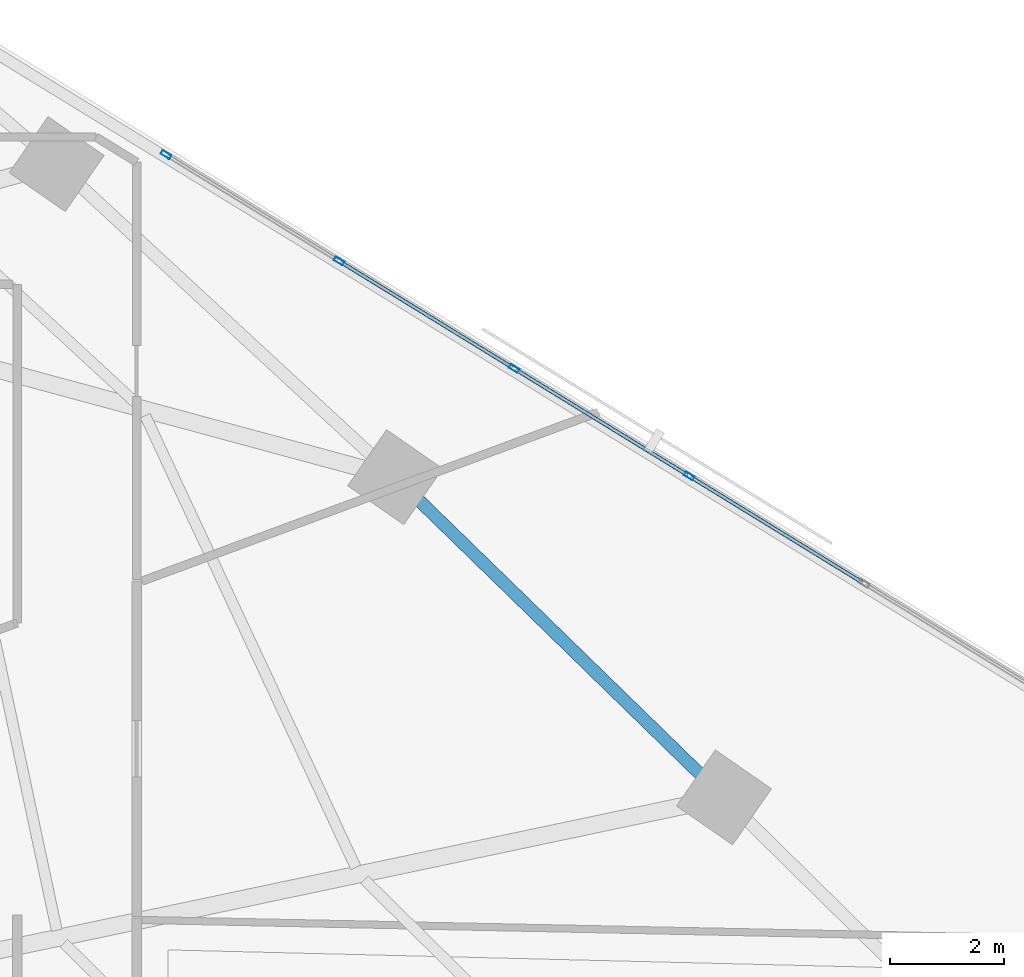
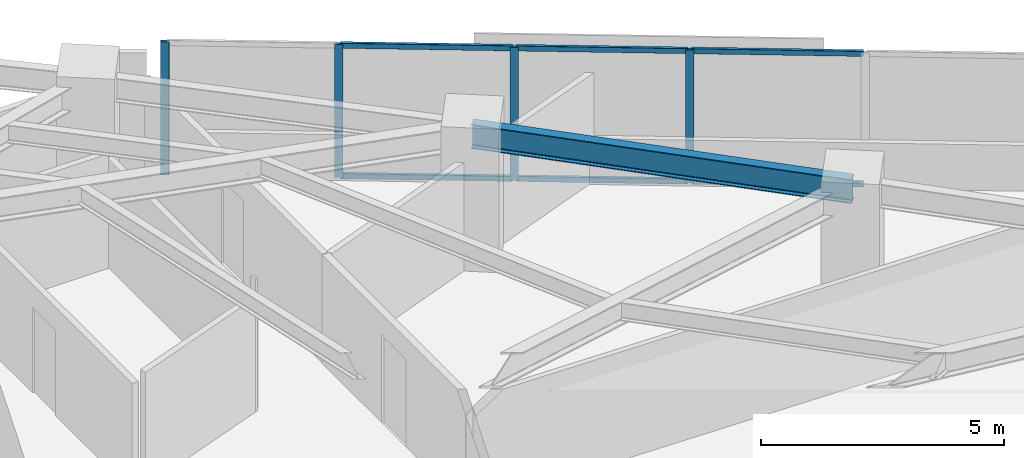
# One storey, part 6 of 18: 10 members, 1 beam, 1 element without a shape of its own.
"""IFC4 building model written with IfcOpenShell, lengths in metres."""

from ifc_helpers import new_model, si_unit, direction, frame, origin, origin_2d, place, context, subcontext, project, spatial, hollow_rectangle, i_section, extrude, material, material_profile, profile_set, type_object, element, aggregate, save


model = new_model("IFC4")

# Units and contexts
model_context = context("Model", 3, precision=1e-05, world=origin(), true_north=direction((0.0, 1.0)))
body_context = subcontext(model_context, "Body", "Model", "MODEL_VIEW")
ifc_project = project(units=[si_unit("LENGTHUNIT", "METRE"), si_unit("AREAUNIT", "SQUARE_METRE"), si_unit("VOLUMEUNIT", "CUBIC_METRE"), si_unit("PLANEANGLEUNIT", "RADIAN"), si_unit("MASSUNIT", "GRAM", prefix="KILO")], contexts=[model_context])

# Site, building, storey
site_placement = place(None, origin())
site = spatial("IfcSite", under=ifc_project, at=site_placement, CompositionType="ELEMENT")
building_placement = place(site_placement, origin())
building = spatial("IfcBuilding", under=site, at=building_placement, Name="Narakoshi Arena Tower", CompositionType="ELEMENT")
storey_placement = place(building_placement, frame((0.0, 0.0, 106.5)))
storey = spatial("IfcBuildingStorey", under=building, at=storey_placement, Name="L28", CompositionType="ELEMENT", Elevation=106.5)

# Beam
ifc_material_1 = material(Name="Structural steel S355J2", Category="steel")
ifc_material_profile_1 = material_profile(ifc_material_1, i_section(OverallWidth=0.219970703125, OverallDepth=0.60009765625, WebThickness=0.011962890625, FlangeThickness=0.01904296875, FilletRadius=0.02392578125, at=origin_2d()), Name="IPE600")
ifc_profile_set_1 = profile_set([ifc_material_profile_1], Name="Structural steel S355J2")
beam_type = type_object("IfcBeamType", Name="BM-EDGE-600", PredefinedType="BEAM", material=ifc_profile_set_1)
beam_placement = place(storey_placement, frame((104.42041015625, 47.33056640625, 3.0400390625), z_axis=(-0.71641187053, 0.697677598726, 0.0), x_axis=(-0.697677598726, -0.71641187053, 0.0)))
element("IfcBeam", 1, at=beam_placement, inside=storey, type_object=beam_type, Name="L28 Perimeter Edge Girder 05", PredefinedType="BEAM", context=body_context, shape_type="SweptSolid", body=[
    extrude(i_section(OverallWidth=0.219970703125, OverallDepth=0.60009765625, WebThickness=0.011962890625, FlangeThickness=0.01904296875, FilletRadius=0.02392578125, at=origin_2d()), origin(), (0.0, 0.0, 1.0), 8.066650390625),
])

# Curtain wall, members
ifc_material_2 = material(Name="Anodised bronze aluminium 6063-T6", Category="aluminium")
curtain_wall_type = type_object("IfcCurtainWallType", Name="CW-HYP-LOW", PredefinedType="NOTDEFINED", material=ifc_material_2)
curtain_wall_placement = place(storey_placement, origin())
curtain_wall = element("IfcCurtainWall", 2, at=curtain_wall_placement, inside=storey, type_object=curtain_wall_type, Name="L28 Folded Hypotenuse Curtain Wall 1-1", PredefinedType="NOTDEFINED")
ifc_material_profile_2 = material_profile(ifc_material_2, hollow_rectangle(XDim=0.074951171875, YDim=0.179931640625, WallThickness=0.00390625, OuterFilletRadius=0.0048828125, at=origin_2d()), Name="MUL180x75x4")
ifc_profile_set_2 = profile_set([ifc_material_profile_2], Name="Anodised bronze aluminium 6063-T6")
member_type_1 = type_object("IfcMemberType", Name="MEM-MUL-180", PredefinedType="MULLION", material=ifc_profile_set_2)
member_1_placement = place(storey_placement, frame((103.81005859375, 52.97802734375, 0.0), z_axis=(0.0, 0.0, 1.0), x_axis=(-0.523357676535, -0.852113104237, 0.0)))
member_1 = element("IfcMember", 3, at=member_1_placement, type_object=member_type_1, Name="CW-01 mullion 6", PredefinedType="MULLION", context=body_context, shape_type="SweptSolid", body=[
    extrude(hollow_rectangle(XDim=0.074951171875, YDim=0.179931640625, WallThickness=0.00390625, OuterFilletRadius=0.0048828125, at=origin_2d()), origin(), (0.0, 0.0, 1.0), 3.340087890625),
])
member_2_placement = place(storey_placement, frame((100.733154296875, 54.86767578125, 0.0), z_axis=(0.0, 0.0, 1.0), x_axis=(-0.523357676535, -0.852113104237, 0.0)))
member_2 = element("IfcMember", 4, at=member_2_placement, type_object=member_type_1, Name="CW-01 mullion 7", PredefinedType="MULLION", context=body_context, shape_type="SweptSolid", body=[
    extrude(hollow_rectangle(XDim=0.074951171875, YDim=0.179931640625, WallThickness=0.00390625, OuterFilletRadius=0.0048828125, at=origin_2d()), origin(), (0.0, 0.0, 1.0), 3.340087890625),
])
member_3_placement = place(storey_placement, frame((97.65625, 56.757568359375, 0.0), z_axis=(0.0, 0.0, 1.0), x_axis=(-0.523357676535, -0.852113104237, 0.0)))
member_3 = element("IfcMember", 5, at=member_3_placement, type_object=member_type_1, Name="CW-01 mullion 8", PredefinedType="MULLION", context=body_context, shape_type="SweptSolid", body=[
    extrude(hollow_rectangle(XDim=0.074951171875, YDim=0.179931640625, WallThickness=0.00390625, OuterFilletRadius=0.0048828125, at=origin_2d()), origin(), (0.0, 0.0, 1.0), 3.340087890625),
])
member_4_placement = place(storey_placement, frame((94.611328125, 58.627685546875, 0.0), z_axis=(0.0, 0.0, 1.0), x_axis=(-0.523357676535, -0.852113104237, 0.0)))
member_4 = element("IfcMember", 6, at=member_4_placement, type_object=member_type_1, Name="CW-01 mullion 9", PredefinedType="MULLION", context=body_context, shape_type="SweptSolid", body=[
    extrude(hollow_rectangle(XDim=0.074951171875, YDim=0.179931640625, WallThickness=0.00390625, OuterFilletRadius=0.0048828125, at=origin_2d()), origin(), (0.0, 0.0, 1.0), 3.340087890625),
])
ifc_material_profile_3 = material_profile(ifc_material_2, hollow_rectangle(XDim=0.06494140625, YDim=0.1298828125, WallThickness=0.00390625, OuterFilletRadius=0.0048828125, at=origin_2d()), Name="TRN130x65x4")
ifc_profile_set_3 = profile_set([ifc_material_profile_3], Name="Anodised bronze aluminium 6063-T6")
member_type_2 = type_object("IfcMemberType", Name="MEM-TRN-130", PredefinedType="USERDEFINED", material=ifc_profile_set_3)
member_5_placement = place(storey_placement, frame((106.85498046875, 51.107666015625, 0.032470703125), z_axis=(-0.852103699909, 0.523372988032, 0.0), x_axis=(-0.523372988032, -0.852103699909, 0.0)))
member_5 = element("IfcMember", 7, at=member_5_placement, type_object=member_type_2, Name="CW-01 transom 5.1", ObjectType="TRANSOM", PredefinedType="USERDEFINED", context=body_context, shape_type="SweptSolid", body=[
    extrude(hollow_rectangle(XDim=0.06494140625, YDim=0.1298828125, WallThickness=0.00390625, OuterFilletRadius=0.0048828125, at=origin_2d()), origin(), (0.0, 0.0, 1.0), 3.535888671875),
])
member_6_placement = place(storey_placement, frame((106.85498046875, 51.107666015625, 3.3076171875), z_axis=(-0.852103699909, 0.523372988032, 0.0), x_axis=(-0.523372988032, -0.852103699909, 0.0)))
member_6 = element("IfcMember", 8, at=member_6_placement, type_object=member_type_2, Name="CW-01 transom 5.2", ObjectType="TRANSOM", PredefinedType="USERDEFINED", context=body_context, shape_type="SweptSolid", body=[
    extrude(hollow_rectangle(XDim=0.06494140625, YDim=0.1298828125, WallThickness=0.00390625, OuterFilletRadius=0.0048828125, at=origin_2d()), origin(), (0.0, 0.0, 1.0), 3.535888671875),
])
member_7_placement = place(storey_placement, frame((103.778076171875, 52.99755859375, 0.032470703125), z_axis=(-0.852103699909, 0.523372988032, 0.0), x_axis=(-0.523372988032, -0.852103699909, 0.0)))
member_7 = element("IfcMember", 9, at=member_7_placement, type_object=member_type_2, Name="CW-01 transom 6.1", ObjectType="TRANSOM", PredefinedType="USERDEFINED", context=body_context, shape_type="SweptSolid", body=[
    extrude(hollow_rectangle(XDim=0.06494140625, YDim=0.1298828125, WallThickness=0.00390625, OuterFilletRadius=0.0048828125, at=origin_2d()), origin(), (0.0, 0.0, 1.0), 3.535888671875),
])
member_8_placement = place(storey_placement, frame((103.778076171875, 52.99755859375, 3.3076171875), z_axis=(-0.852103699909, 0.523372988032, 0.0), x_axis=(-0.523372988032, -0.852103699909, 0.0)))
member_8 = element("IfcMember", 10, at=member_8_placement, type_object=member_type_2, Name="CW-01 transom 6.2", ObjectType="TRANSOM", PredefinedType="USERDEFINED", context=body_context, shape_type="SweptSolid", body=[
    extrude(hollow_rectangle(XDim=0.06494140625, YDim=0.1298828125, WallThickness=0.00390625, OuterFilletRadius=0.0048828125, at=origin_2d()), origin(), (0.0, 0.0, 1.0), 3.535888671875),
])
member_9_placement = place(storey_placement, frame((100.701171875, 54.887451171875, 0.032470703125), z_axis=(-0.852134492111, 0.523322851933, 0.0), x_axis=(-0.523322851933, -0.852134492111, 0.0)))
member_9 = element("IfcMember", 11, at=member_9_placement, type_object=member_type_2, Name="CW-01 transom 7.1", ObjectType="TRANSOM", PredefinedType="USERDEFINED", context=body_context, shape_type="SweptSolid", body=[
    extrude(hollow_rectangle(XDim=0.06494140625, YDim=0.1298828125, WallThickness=0.00390625, OuterFilletRadius=0.0048828125, at=origin_2d()), origin(), (0.0, 0.0, 1.0), 3.53564453125),
])
member_10_placement = place(storey_placement, frame((100.701171875, 54.887451171875, 3.3076171875), z_axis=(-0.852134492111, 0.523322851933, 0.0), x_axis=(-0.523322851933, -0.852134492111, 0.0)))
member_10 = element("IfcMember", 12, at=member_10_placement, type_object=member_type_2, Name="CW-01 transom 7.2", ObjectType="TRANSOM", PredefinedType="USERDEFINED", context=body_context, shape_type="SweptSolid", body=[
    extrude(hollow_rectangle(XDim=0.06494140625, YDim=0.1298828125, WallThickness=0.00390625, OuterFilletRadius=0.0048828125, at=origin_2d()), origin(), (0.0, 0.0, 1.0), 3.53564453125),
])
aggregate(curtain_wall, [member_1, member_2, member_3, member_4, member_5, member_6, member_7, member_8, member_9, member_10])

save(model, "model.ifc")
